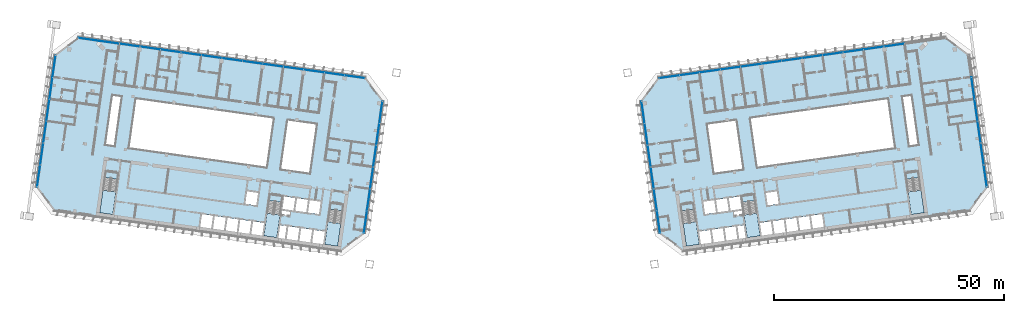
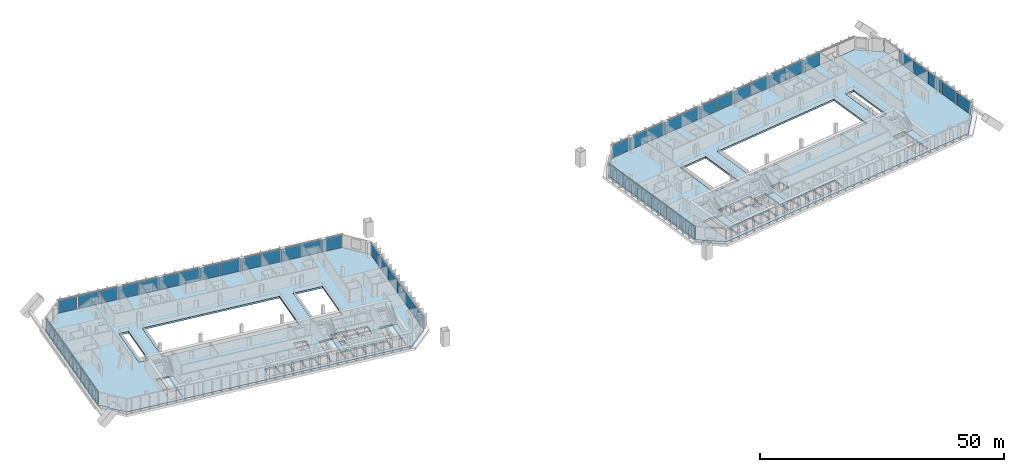
# One storey, part 16 of 34: 49 plates, 8 slabs, 12 elements without a shape of their own.
"""IFC4 building model written with IfcOpenShell, lengths in metres."""

from ifc_helpers import new_model, si_unit, direction, frame, origin, origin_2d, place, context, subcontext, project, spatial, polyline, rectangle, outline, extrude, material, layer, layer_set, type_object, element, aggregate, save


model = new_model("IFC4")

# Units and contexts
model_context = context("Model", 3, precision=1e-05, world=origin(), true_north=direction((0.0, 1.0)))
body_context = subcontext(model_context, "Body", "Model", "MODEL_VIEW")
ifc_project = project(units=[si_unit("LENGTHUNIT", "METRE"), si_unit("AREAUNIT", "SQUARE_METRE"), si_unit("VOLUMEUNIT", "CUBIC_METRE"), si_unit("PLANEANGLEUNIT", "RADIAN"), si_unit("MASSUNIT", "GRAM", prefix="KILO")], contexts=[model_context])

# Site, building, storey
site_placement = place(None, origin())
site = spatial("IfcSite", under=ifc_project, at=site_placement, CompositionType="ELEMENT")
building_placement = place(site_placement, origin())
building = spatial("IfcBuilding", under=site, at=building_placement, Name="Mirante Cascada Hotel Towers", CompositionType="ELEMENT")
storey_placement = place(building_placement, frame((0.0, 0.0, 148.1)))
storey = spatial("IfcBuildingStorey", under=building, at=storey_placement, Name="L34", CompositionType="ELEMENT", Elevation=148.1)

# Curtain wall, plates
ifc_material_1 = material(Name="Aluminium mullion and transom frame with clear laminated glass", Category="aluminium")
curtain_wall_type_1 = type_object("IfcCurtainWallType", Name="Ribbon curtain wall ECW1", PredefinedType="NOTDEFINED", material=ifc_material_1)
curtain_wall_1_placement = place(storey_placement, origin())
curtain_wall_1 = element("IfcCurtainWall", 1, at=curtain_wall_1_placement, inside=storey, type_object=curtain_wall_type_1, Name="Front ribbon wall T1 L34", PredefinedType="NOTDEFINED")
ifc_material_2 = material(Name="Clear laminated glass", Category="glass")
ifc_layer_1 = layer(ifc_material_2, 0.036)
ifc_layer_set_1 = layer_set([ifc_layer_1], Name="ECW1 glass panel 36")
plate_type_1 = type_object("IfcPlateType", Name="ECW1 glass panel 36", PredefinedType="CURTAIN_PANEL", material=ifc_layer_set_1)
plate_1_placement = place(storey_placement, frame((-92.0568, 25.7568, 0.1), z_axis=(0.0, 0.0, 1.0), x_axis=(0.9902681, -0.1391731, 0.0)))
plate_1 = element("IfcPlate", 2, at=plate_1_placement, type_object=plate_type_1, Name="ECW1 panel 1", PredefinedType="CURTAIN_PANEL", context=body_context, shape_type="SweptSolid", body=[
    extrude(rectangle(XDim=4.114, YDim=0.036, at=origin_2d()), origin(), (0.0, 0.0, 1.0), 3.1),
])
plate_2_placement = place(storey_placement, frame((-87.4537, 25.1098, 0.1), z_axis=(0.0, 0.0, 1.0), x_axis=(0.9902681, -0.1391731, 0.0)))
plate_2 = element("IfcPlate", 3, at=plate_2_placement, type_object=plate_type_1, Name="ECW1 panel 2", PredefinedType="CURTAIN_PANEL", context=body_context, shape_type="SweptSolid", body=[
    extrude(rectangle(XDim=4.3589, YDim=0.036, at=origin_2d()), origin(), (0.0, 0.0, 1.0), 3.1),
])
plate_3_placement = place(storey_placement, frame((-83.0396, 24.4895, 0.1), z_axis=(0.0, 0.0, 1.0), x_axis=(0.9902681, -0.1391731, 0.0)))
plate_3 = element("IfcPlate", 4, at=plate_3_placement, type_object=plate_type_1, Name="ECW1 panel 3", PredefinedType="CURTAIN_PANEL", context=body_context, shape_type="SweptSolid", body=[
    extrude(rectangle(XDim=4.4261, YDim=0.036, at=origin_2d()), origin(), (0.0, 0.0, 1.0), 3.1),
])
plate_4_placement = place(storey_placement, frame((-78.5922, 23.8644, 0.1), z_axis=(0.0, 0.0, 1.0), x_axis=(0.9902681, -0.1391731, 0.0)))
plate_4 = element("IfcPlate", 5, at=plate_4_placement, type_object=plate_type_1, Name="ECW1 panel 4", PredefinedType="CURTAIN_PANEL", context=body_context, shape_type="SweptSolid", body=[
    extrude(rectangle(XDim=4.4261, YDim=0.036, at=origin_2d()), origin(), (0.0, 0.0, 1.0), 3.1),
])
plate_5_placement = place(storey_placement, frame((-74.1448, 23.2394, 0.1), z_axis=(0.0, 0.0, 1.0), x_axis=(0.9902681, -0.1391731, 0.0)))
plate_5 = element("IfcPlate", 6, at=plate_5_placement, type_object=plate_type_1, Name="ECW1 panel 5", PredefinedType="CURTAIN_PANEL", context=body_context, shape_type="SweptSolid", body=[
    extrude(rectangle(XDim=4.4261, YDim=0.036, at=origin_2d()), origin(), (0.0, 0.0, 1.0), 3.1),
])
plate_6_placement = place(storey_placement, frame((-69.6974, 22.6144, 0.1), z_axis=(0.0, 0.0, 1.0), x_axis=(0.9902681, -0.1391731, 0.0)))
plate_6 = element("IfcPlate", 7, at=plate_6_placement, type_object=plate_type_1, Name="ECW1 panel 6", PredefinedType="CURTAIN_PANEL", context=body_context, shape_type="SweptSolid", body=[
    extrude(rectangle(XDim=4.4261, YDim=0.036, at=origin_2d()), origin(), (0.0, 0.0, 1.0), 3.1),
])
plate_7_placement = place(storey_placement, frame((-65.2499, 21.9893, 0.1), z_axis=(0.0, 0.0, 1.0), x_axis=(0.9902681, -0.1391731, 0.0)))
plate_7 = element("IfcPlate", 8, at=plate_7_placement, type_object=plate_type_1, Name="ECW1 panel 7", PredefinedType="CURTAIN_PANEL", context=body_context, shape_type="SweptSolid", body=[
    extrude(rectangle(XDim=4.4261, YDim=0.036, at=origin_2d()), origin(), (0.0, 0.0, 1.0), 3.1),
])
plate_8_placement = place(storey_placement, frame((-60.8025, 21.3643, 0.1), z_axis=(0.0, 0.0, 1.0), x_axis=(0.9902681, -0.1391731, 0.0)))
plate_8 = element("IfcPlate", 9, at=plate_8_placement, type_object=plate_type_1, Name="ECW1 panel 8", PredefinedType="CURTAIN_PANEL", context=body_context, shape_type="SweptSolid", body=[
    extrude(rectangle(XDim=4.4261, YDim=0.036, at=origin_2d()), origin(), (0.0, 0.0, 1.0), 3.1),
])
plate_9_placement = place(storey_placement, frame((-56.3551, 20.7392, 0.1), z_axis=(0.0, 0.0, 1.0), x_axis=(0.9902681, -0.1391731, 0.0)))
plate_9 = element("IfcPlate", 10, at=plate_9_placement, type_object=plate_type_1, Name="ECW1 panel 9", PredefinedType="CURTAIN_PANEL", context=body_context, shape_type="SweptSolid", body=[
    extrude(rectangle(XDim=4.4261, YDim=0.036, at=origin_2d()), origin(), (0.0, 0.0, 1.0), 3.1),
])
plate_10_placement = place(storey_placement, frame((-51.9077, 20.1142, 0.1), z_axis=(0.0, 0.0, 1.0), x_axis=(0.9902681, -0.1391731, 0.0)))
plate_10 = element("IfcPlate", 11, at=plate_10_placement, type_object=plate_type_1, Name="ECW1 panel 10", PredefinedType="CURTAIN_PANEL", context=body_context, shape_type="SweptSolid", body=[
    extrude(rectangle(XDim=4.4261, YDim=0.036, at=origin_2d()), origin(), (0.0, 0.0, 1.0), 3.1),
])
plate_11_placement = place(storey_placement, frame((-47.4603, 19.4891, 0.1), z_axis=(0.0, 0.0, 1.0), x_axis=(0.9902681, -0.1391731, 0.0)))
plate_11 = element("IfcPlate", 12, at=plate_11_placement, type_object=plate_type_1, Name="ECW1 panel 11", PredefinedType="CURTAIN_PANEL", context=body_context, shape_type="SweptSolid", body=[
    extrude(rectangle(XDim=4.4261, YDim=0.036, at=origin_2d()), origin(), (0.0, 0.0, 1.0), 3.1),
])
plate_12_placement = place(storey_placement, frame((-43.0129, 18.8641, 0.1), z_axis=(0.0, 0.0, 1.0), x_axis=(0.9902681, -0.1391731, 0.0)))
plate_12 = element("IfcPlate", 13, at=plate_12_placement, type_object=plate_type_1, Name="ECW1 panel 12", PredefinedType="CURTAIN_PANEL", context=body_context, shape_type="SweptSolid", body=[
    extrude(rectangle(XDim=4.4261, YDim=0.036, at=origin_2d()), origin(), (0.0, 0.0, 1.0), 3.1),
])
plate_13_placement = place(storey_placement, frame((-38.5654, 18.239, 0.1), z_axis=(0.0, 0.0, 1.0), x_axis=(0.9902681, -0.1391731, 0.0)))
plate_13 = element("IfcPlate", 14, at=plate_13_placement, type_object=plate_type_1, Name="ECW1 panel 13", PredefinedType="CURTAIN_PANEL", context=body_context, shape_type="SweptSolid", body=[
    extrude(rectangle(XDim=4.4261, YDim=0.036, at=origin_2d()), origin(), (0.0, 0.0, 1.0), 3.1),
])
plate_14_placement = place(storey_placement, frame((-34.1341, 17.6163, 0.1), z_axis=(0.0, 0.0, 1.0), x_axis=(0.9902681, -0.1391731, 0.0)))
plate_14 = element("IfcPlate", 15, at=plate_14_placement, type_object=plate_type_1, Name="ECW1 panel 14", PredefinedType="CURTAIN_PANEL", context=body_context, shape_type="SweptSolid", body=[
    extrude(rectangle(XDim=4.3936, YDim=0.036, at=origin_2d()), origin(), (0.0, 0.0, 1.0), 3.1),
])
aggregate(curtain_wall_1, [plate_1, plate_2, plate_3, plate_4, plate_5, plate_6, plate_7, plate_8, plate_9, plate_10, plate_11, plate_12, plate_13, plate_14])

curtain_wall_2_placement = place(storey_placement, origin())
curtain_wall_2 = element("IfcCurtainWall", 16, at=curtain_wall_2_placement, inside=storey, type_object=curtain_wall_type_1, Name="Front ribbon wall T2 L34", PredefinedType="NOTDEFINED")
plate_15_placement = place(storey_placement, frame((83.0396, 24.4895, 0.1), z_axis=(0.0, 0.0, 1.0), x_axis=(-0.9902681, -0.1391731, 0.0)))
plate_15 = element("IfcPlate", 17, at=plate_15_placement, type_object=plate_type_1, Name="ECW1 panel 3", PredefinedType="CURTAIN_PANEL", context=body_context, shape_type="SweptSolid", body=[
    extrude(rectangle(XDim=4.4261, YDim=0.036, at=origin_2d()), origin(), (0.0, 0.0, 1.0), 3.1),
])
plate_16_placement = place(storey_placement, frame((78.5922, 23.8644, 0.1), z_axis=(0.0, 0.0, 1.0), x_axis=(-0.9902681, -0.1391731, 0.0)))
plate_16 = element("IfcPlate", 18, at=plate_16_placement, type_object=plate_type_1, Name="ECW1 panel 4", PredefinedType="CURTAIN_PANEL", context=body_context, shape_type="SweptSolid", body=[
    extrude(rectangle(XDim=4.4261, YDim=0.036, at=origin_2d()), origin(), (0.0, 0.0, 1.0), 3.1),
])
plate_17_placement = place(storey_placement, frame((74.1448, 23.2394, 0.1), z_axis=(0.0, 0.0, 1.0), x_axis=(-0.9902681, -0.1391731, 0.0)))
plate_17 = element("IfcPlate", 19, at=plate_17_placement, type_object=plate_type_1, Name="ECW1 panel 5", PredefinedType="CURTAIN_PANEL", context=body_context, shape_type="SweptSolid", body=[
    extrude(rectangle(XDim=4.4261, YDim=0.036, at=origin_2d()), origin(), (0.0, 0.0, 1.0), 3.1),
])
plate_18_placement = place(storey_placement, frame((69.6974, 22.6144, 0.1), z_axis=(0.0, 0.0, 1.0), x_axis=(-0.9902681, -0.1391731, 0.0)))
plate_18 = element("IfcPlate", 20, at=plate_18_placement, type_object=plate_type_1, Name="ECW1 panel 6", PredefinedType="CURTAIN_PANEL", context=body_context, shape_type="SweptSolid", body=[
    extrude(rectangle(XDim=4.4261, YDim=0.036, at=origin_2d()), origin(), (0.0, 0.0, 1.0), 3.1),
])
plate_19_placement = place(storey_placement, frame((65.2499, 21.9893, 0.1), z_axis=(0.0, 0.0, 1.0), x_axis=(-0.9902681, -0.1391731, 0.0)))
plate_19 = element("IfcPlate", 21, at=plate_19_placement, type_object=plate_type_1, Name="ECW1 panel 7", PredefinedType="CURTAIN_PANEL", context=body_context, shape_type="SweptSolid", body=[
    extrude(rectangle(XDim=4.4261, YDim=0.036, at=origin_2d()), origin(), (0.0, 0.0, 1.0), 3.1),
])
plate_20_placement = place(storey_placement, frame((60.8025, 21.3643, 0.1), z_axis=(0.0, 0.0, 1.0), x_axis=(-0.9902681, -0.1391731, 0.0)))
plate_20 = element("IfcPlate", 22, at=plate_20_placement, type_object=plate_type_1, Name="ECW1 panel 8", PredefinedType="CURTAIN_PANEL", context=body_context, shape_type="SweptSolid", body=[
    extrude(rectangle(XDim=4.4261, YDim=0.036, at=origin_2d()), origin(), (0.0, 0.0, 1.0), 3.1),
])
plate_21_placement = place(storey_placement, frame((56.3551, 20.7392, 0.1), z_axis=(0.0, 0.0, 1.0), x_axis=(-0.9902681, -0.1391731, 0.0)))
plate_21 = element("IfcPlate", 23, at=plate_21_placement, type_object=plate_type_1, Name="ECW1 panel 9", PredefinedType="CURTAIN_PANEL", context=body_context, shape_type="SweptSolid", body=[
    extrude(rectangle(XDim=4.4261, YDim=0.036, at=origin_2d()), origin(), (0.0, 0.0, 1.0), 3.1),
])
plate_22_placement = place(storey_placement, frame((51.9077, 20.1142, 0.1), z_axis=(0.0, 0.0, 1.0), x_axis=(-0.9902681, -0.1391731, 0.0)))
plate_22 = element("IfcPlate", 24, at=plate_22_placement, type_object=plate_type_1, Name="ECW1 panel 10", PredefinedType="CURTAIN_PANEL", context=body_context, shape_type="SweptSolid", body=[
    extrude(rectangle(XDim=4.4261, YDim=0.036, at=origin_2d()), origin(), (0.0, 0.0, 1.0), 3.1),
])
plate_23_placement = place(storey_placement, frame((47.4603, 19.4891, 0.1), z_axis=(0.0, 0.0, 1.0), x_axis=(-0.9902681, -0.1391731, 0.0)))
plate_23 = element("IfcPlate", 25, at=plate_23_placement, type_object=plate_type_1, Name="ECW1 panel 11", PredefinedType="CURTAIN_PANEL", context=body_context, shape_type="SweptSolid", body=[
    extrude(rectangle(XDim=4.4261, YDim=0.036, at=origin_2d()), origin(), (0.0, 0.0, 1.0), 3.1),
])
plate_24_placement = place(storey_placement, frame((43.0129, 18.8641, 0.1), z_axis=(0.0, 0.0, 1.0), x_axis=(-0.9902681, -0.1391731, 0.0)))
plate_24 = element("IfcPlate", 26, at=plate_24_placement, type_object=plate_type_1, Name="ECW1 panel 12", PredefinedType="CURTAIN_PANEL", context=body_context, shape_type="SweptSolid", body=[
    extrude(rectangle(XDim=4.4261, YDim=0.036, at=origin_2d()), origin(), (0.0, 0.0, 1.0), 3.1),
])
plate_25_placement = place(storey_placement, frame((38.5654, 18.239, 0.1), z_axis=(0.0, 0.0, 1.0), x_axis=(-0.9902681, -0.1391731, 0.0)))
plate_25 = element("IfcPlate", 27, at=plate_25_placement, type_object=plate_type_1, Name="ECW1 panel 13", PredefinedType="CURTAIN_PANEL", context=body_context, shape_type="SweptSolid", body=[
    extrude(rectangle(XDim=4.4261, YDim=0.036, at=origin_2d()), origin(), (0.0, 0.0, 1.0), 3.1),
])
plate_26_placement = place(storey_placement, frame((34.1341, 17.6163, 0.1), z_axis=(0.0, 0.0, 1.0), x_axis=(-0.9902681, -0.1391731, 0.0)))
plate_26 = element("IfcPlate", 28, at=plate_26_placement, type_object=plate_type_1, Name="ECW1 panel 14", PredefinedType="CURTAIN_PANEL", context=body_context, shape_type="SweptSolid", body=[
    extrude(rectangle(XDim=4.3936, YDim=0.036, at=origin_2d()), origin(), (0.0, 0.0, 1.0), 3.1),
])
aggregate(curtain_wall_2, [plate_15, plate_16, plate_17, plate_18, plate_19, plate_20, plate_21, plate_22, plate_23, plate_24, plate_25, plate_26])

ifc_material_3 = material(Name="Aluminium mullion and transom frame with clear laminated glass", Category="aluminium")
curtain_wall_type_2 = type_object("IfcCurtainWallType", Name="End ribbon curtain wall ECW2", PredefinedType="NOTDEFINED", material=ifc_material_3)
curtain_wall_3_placement = place(storey_placement, origin())
curtain_wall_3 = element("IfcCurtainWall", 29, at=curtain_wall_3_placement, inside=storey, type_object=curtain_wall_type_2, Name="Inner end wall T1 L34", PredefinedType="NOTDEFINED")
ifc_material_4 = material(Name="Clear laminated glass", Category="glass")
ifc_layer_2 = layer(ifc_material_4, 0.034)
ifc_layer_set_2 = layer_set([ifc_layer_2], Name="ECW2 glass panel 34")
plate_type_2 = type_object("IfcPlateType", Name="ECW2 glass panel 34", PredefinedType="CURTAIN_PANEL", material=ifc_layer_set_2)
plate_27_placement = place(storey_placement, frame((-28.4763, 9.9193, 0.1), z_axis=(0.0, 0.0, 1.0), x_axis=(-0.1391731, -0.9902681, 0.0)))
plate_27 = element("IfcPlate", 30, at=plate_27_placement, type_object=plate_type_2, Name="ECW2 panel 1", PredefinedType="CURTAIN_PANEL", context=body_context, shape_type="SweptSolid", body=[
    extrude(rectangle(XDim=4.7151, YDim=0.034, at=origin_2d()), origin(), (0.0, 0.0, 1.0), 3.1),
])
plate_28_placement = place(storey_placement, frame((-29.1439, 5.1696, 0.1), z_axis=(0.0, 0.0, 1.0), x_axis=(-0.1391731, -0.9902681, 0.0)))
plate_28 = element("IfcPlate", 31, at=plate_28_placement, type_object=plate_type_2, Name="ECW2 panel 2", PredefinedType="CURTAIN_PANEL", context=body_context, shape_type="SweptSolid", body=[
    extrude(rectangle(XDim=4.7476, YDim=0.034, at=origin_2d()), origin(), (0.0, 0.0, 1.0), 3.1),
])
plate_29_placement = place(storey_placement, frame((-29.8136, 0.4038, 0.1), z_axis=(0.0, 0.0, 1.0), x_axis=(-0.1391731, -0.9902681, 0.0)))
plate_29 = element("IfcPlate", 32, at=plate_29_placement, type_object=plate_type_2, Name="ECW2 panel 3", PredefinedType="CURTAIN_PANEL", context=body_context, shape_type="SweptSolid", body=[
    extrude(rectangle(XDim=4.7476, YDim=0.034, at=origin_2d()), origin(), (0.0, 0.0, 1.0), 3.1),
])
plate_30_placement = place(storey_placement, frame((-30.4834, -4.362, 0.1), z_axis=(0.0, 0.0, 1.0), x_axis=(-0.1391731, -0.9902681, 0.0)))
plate_30 = element("IfcPlate", 33, at=plate_30_placement, type_object=plate_type_2, Name="ECW2 panel 4", PredefinedType="CURTAIN_PANEL", context=body_context, shape_type="SweptSolid", body=[
    extrude(rectangle(XDim=4.7476, YDim=0.034, at=origin_2d()), origin(), (0.0, 0.0, 1.0), 3.1),
])
plate_31_placement = place(storey_placement, frame((-31.1532, -9.1278, 0.1), z_axis=(0.0, 0.0, 1.0), x_axis=(-0.1391731, -0.9902681, 0.0)))
plate_31 = element("IfcPlate", 34, at=plate_31_placement, type_object=plate_type_2, Name="ECW2 panel 5", PredefinedType="CURTAIN_PANEL", context=body_context, shape_type="SweptSolid", body=[
    extrude(rectangle(XDim=4.7476, YDim=0.034, at=origin_2d()), origin(), (0.0, 0.0, 1.0), 3.1),
])
plate_32_placement = place(storey_placement, frame((-31.8207, -13.8775, 0.1), z_axis=(0.0, 0.0, 1.0), x_axis=(-0.1391731, -0.9902681, 0.0)))
plate_32 = element("IfcPlate", 35, at=plate_32_placement, type_object=plate_type_2, Name="ECW2 panel 6", PredefinedType="CURTAIN_PANEL", context=body_context, shape_type="SweptSolid", body=[
    extrude(rectangle(XDim=4.7151, YDim=0.034, at=origin_2d()), origin(), (0.0, 0.0, 1.0), 3.1),
])
aggregate(curtain_wall_3, [plate_27, plate_28, plate_29, plate_30, plate_31, plate_32])

curtain_wall_4_placement = place(storey_placement, origin())
curtain_wall_4 = element("IfcCurtainWall", 36, at=curtain_wall_4_placement, inside=storey, type_object=curtain_wall_type_2, Name="Outer end wall T1 L34", PredefinedType="NOTDEFINED")
plate_33_placement = place(storey_placement, frame((-102.823, -3.8988, 0.1), z_axis=(0.0, 0.0, 1.0), x_axis=(0.1391731, 0.9902681, 0.0)))
plate_33 = element("IfcPlate", 37, at=plate_33_placement, type_object=plate_type_2, Name="ECW2 panel 1", PredefinedType="CURTAIN_PANEL", context=body_context, shape_type="SweptSolid", body=[
    extrude(rectangle(XDim=4.7151, YDim=0.034, at=origin_2d()), origin(), (0.0, 0.0, 1.0), 3.1),
])
plate_34_placement = place(storey_placement, frame((-102.1554, 0.8509, 0.1), z_axis=(0.0, 0.0, 1.0), x_axis=(0.1391731, 0.9902681, 0.0)))
plate_34 = element("IfcPlate", 38, at=plate_34_placement, type_object=plate_type_2, Name="ECW2 panel 2", PredefinedType="CURTAIN_PANEL", context=body_context, shape_type="SweptSolid", body=[
    extrude(rectangle(XDim=4.7476, YDim=0.034, at=origin_2d()), origin(), (0.0, 0.0, 1.0), 3.1),
])
plate_35_placement = place(storey_placement, frame((-100.1461, 15.1483, 0.1), z_axis=(0.0, 0.0, 1.0), x_axis=(0.1391731, 0.9902681, 0.0)))
plate_35 = element("IfcPlate", 39, at=plate_35_placement, type_object=plate_type_2, Name="ECW2 panel 5", PredefinedType="CURTAIN_PANEL", context=body_context, shape_type="SweptSolid", body=[
    extrude(rectangle(XDim=4.7476, YDim=0.034, at=origin_2d()), origin(), (0.0, 0.0, 1.0), 3.1),
])
plate_36_placement = place(storey_placement, frame((-99.4786, 19.898, 0.1), z_axis=(0.0, 0.0, 1.0), x_axis=(0.1391731, 0.9902681, 0.0)))
plate_36 = element("IfcPlate", 40, at=plate_36_placement, type_object=plate_type_2, Name="ECW2 panel 6", PredefinedType="CURTAIN_PANEL", context=body_context, shape_type="SweptSolid", body=[
    extrude(rectangle(XDim=4.7151, YDim=0.034, at=origin_2d()), origin(), (0.0, 0.0, 1.0), 3.1),
])

curtain_wall_5_placement = place(storey_placement, origin())
curtain_wall_5 = element("IfcCurtainWall", 41, at=curtain_wall_5_placement, inside=storey, type_object=curtain_wall_type_2, Name="Inner end wall T2 L34", PredefinedType="NOTDEFINED")
plate_37_placement = place(storey_placement, frame((28.4763, 9.9193, 0.1), z_axis=(0.0, 0.0, 1.0), x_axis=(0.1391731, -0.9902681, 0.0)))
plate_37 = element("IfcPlate", 42, at=plate_37_placement, type_object=plate_type_2, Name="ECW2 panel 1", PredefinedType="CURTAIN_PANEL", context=body_context, shape_type="SweptSolid", body=[
    extrude(rectangle(XDim=4.7151, YDim=0.034, at=origin_2d()), origin(), (0.0, 0.0, 1.0), 3.1),
])
plate_38_placement = place(storey_placement, frame((29.1439, 5.1696, 0.1), z_axis=(0.0, 0.0, 1.0), x_axis=(0.1391731, -0.9902681, 0.0)))
plate_38 = element("IfcPlate", 43, at=plate_38_placement, type_object=plate_type_2, Name="ECW2 panel 2", PredefinedType="CURTAIN_PANEL", context=body_context, shape_type="SweptSolid", body=[
    extrude(rectangle(XDim=4.7476, YDim=0.034, at=origin_2d()), origin(), (0.0, 0.0, 1.0), 3.1),
])
plate_39_placement = place(storey_placement, frame((29.8136, 0.4038, 0.1), z_axis=(0.0, 0.0, 1.0), x_axis=(0.1391731, -0.9902681, 0.0)))
plate_39 = element("IfcPlate", 44, at=plate_39_placement, type_object=plate_type_2, Name="ECW2 panel 3", PredefinedType="CURTAIN_PANEL", context=body_context, shape_type="SweptSolid", body=[
    extrude(rectangle(XDim=4.7476, YDim=0.034, at=origin_2d()), origin(), (0.0, 0.0, 1.0), 3.1),
])
plate_40_placement = place(storey_placement, frame((30.4834, -4.362, 0.1), z_axis=(0.0, 0.0, 1.0), x_axis=(0.1391731, -0.9902681, 0.0)))
plate_40 = element("IfcPlate", 45, at=plate_40_placement, type_object=plate_type_2, Name="ECW2 panel 4", PredefinedType="CURTAIN_PANEL", context=body_context, shape_type="SweptSolid", body=[
    extrude(rectangle(XDim=4.7476, YDim=0.034, at=origin_2d()), origin(), (0.0, 0.0, 1.0), 3.1),
])
plate_41_placement = place(storey_placement, frame((31.1532, -9.1278, 0.1), z_axis=(0.0, 0.0, 1.0), x_axis=(0.1391731, -0.9902681, 0.0)))
plate_41 = element("IfcPlate", 46, at=plate_41_placement, type_object=plate_type_2, Name="ECW2 panel 5", PredefinedType="CURTAIN_PANEL", context=body_context, shape_type="SweptSolid", body=[
    extrude(rectangle(XDim=4.7476, YDim=0.034, at=origin_2d()), origin(), (0.0, 0.0, 1.0), 3.1),
])
plate_42_placement = place(storey_placement, frame((31.8207, -13.8775, 0.1), z_axis=(0.0, 0.0, 1.0), x_axis=(0.1391731, -0.9902681, 0.0)))
plate_42 = element("IfcPlate", 47, at=plate_42_placement, type_object=plate_type_2, Name="ECW2 panel 6", PredefinedType="CURTAIN_PANEL", context=body_context, shape_type="SweptSolid", body=[
    extrude(rectangle(XDim=4.7151, YDim=0.034, at=origin_2d()), origin(), (0.0, 0.0, 1.0), 3.1),
])
aggregate(curtain_wall_5, [plate_37, plate_38, plate_39, plate_40, plate_41, plate_42])

curtain_wall_6_placement = place(storey_placement, origin())
curtain_wall_6 = element("IfcCurtainWall", 48, at=curtain_wall_6_placement, inside=storey, type_object=curtain_wall_type_2, Name="Outer end wall T2 L34", PredefinedType="NOTDEFINED")
plate_43_placement = place(storey_placement, frame((102.823, -3.8988, 0.1), z_axis=(0.0, 0.0, 1.0), x_axis=(-0.1391731, 0.9902681, 0.0)))
plate_43 = element("IfcPlate", 49, at=plate_43_placement, type_object=plate_type_2, Name="ECW2 panel 1", PredefinedType="CURTAIN_PANEL", context=body_context, shape_type="SweptSolid", body=[
    extrude(rectangle(XDim=4.7151, YDim=0.034, at=origin_2d()), origin(), (0.0, 0.0, 1.0), 3.1),
])
plate_44_placement = place(storey_placement, frame((102.1554, 0.8509, 0.1), z_axis=(0.0, 0.0, 1.0), x_axis=(-0.1391731, 0.9902681, 0.0)))
plate_44 = element("IfcPlate", 50, at=plate_44_placement, type_object=plate_type_2, Name="ECW2 panel 2", PredefinedType="CURTAIN_PANEL", context=body_context, shape_type="SweptSolid", body=[
    extrude(rectangle(XDim=4.7476, YDim=0.034, at=origin_2d()), origin(), (0.0, 0.0, 1.0), 3.1),
])
plate_45_placement = place(storey_placement, frame((100.1461, 15.1483, 0.1), z_axis=(0.0, 0.0, 1.0), x_axis=(-0.1391731, 0.9902681, 0.0)))
plate_45 = element("IfcPlate", 51, at=plate_45_placement, type_object=plate_type_2, Name="ECW2 panel 5", PredefinedType="CURTAIN_PANEL", context=body_context, shape_type="SweptSolid", body=[
    extrude(rectangle(XDim=4.7476, YDim=0.034, at=origin_2d()), origin(), (0.0, 0.0, 1.0), 3.1),
])

# Plate
ifc_material_5 = material(Name="Insulated aluminium spandrel panel", Category="aluminium")
ifc_layer_3 = layer(ifc_material_5, 0.034)
ifc_layer_set_3 = layer_set([ifc_layer_3], Name="ECW2 spandrel panel 34")
plate_type_3 = type_object("IfcPlateType", Name="ECW2 spandrel panel 34", PredefinedType="CURTAIN_PANEL", material=ifc_layer_set_3)
plate_46_placement = place(storey_placement, frame((-101.4857, 5.6167, 0.1), z_axis=(0.0, 0.0, 1.0), x_axis=(0.1391731, 0.9902681, 0.0)))
plate_46 = element("IfcPlate", 52, at=plate_46_placement, type_object=plate_type_3, Name="ECW2 panel 3", PredefinedType="CURTAIN_PANEL", context=body_context, shape_type="SweptSolid", body=[
    extrude(rectangle(XDim=4.7476, YDim=0.034, at=origin_2d()), origin(), (0.0, 0.0, 1.0), 3.1),
])

plate_47_placement = place(storey_placement, frame((-100.8159, 10.3825, 0.1), z_axis=(0.0, 0.0, 1.0), x_axis=(0.1391731, 0.9902681, 0.0)))
plate_47 = element("IfcPlate", 53, at=plate_47_placement, type_object=plate_type_3, Name="ECW2 panel 4", PredefinedType="CURTAIN_PANEL", context=body_context, shape_type="SweptSolid", body=[
    extrude(rectangle(XDim=4.7476, YDim=0.034, at=origin_2d()), origin(), (0.0, 0.0, 1.0), 3.1),
])

aggregate(curtain_wall_4, [plate_33, plate_34, plate_46, plate_47, plate_35, plate_36])

plate_48_placement = place(storey_placement, frame((101.4857, 5.6167, 0.1), z_axis=(0.0, 0.0, 1.0), x_axis=(-0.1391731, 0.9902681, 0.0)))
plate_48 = element("IfcPlate", 54, at=plate_48_placement, type_object=plate_type_3, Name="ECW2 panel 3", PredefinedType="CURTAIN_PANEL", context=body_context, shape_type="SweptSolid", body=[
    extrude(rectangle(XDim=4.7476, YDim=0.034, at=origin_2d()), origin(), (0.0, 0.0, 1.0), 3.1),
])

plate_49_placement = place(storey_placement, frame((100.8159, 10.3825, 0.1), z_axis=(0.0, 0.0, 1.0), x_axis=(-0.1391731, 0.9902681, 0.0)))
plate_49 = element("IfcPlate", 55, at=plate_49_placement, type_object=plate_type_3, Name="ECW2 panel 4", PredefinedType="CURTAIN_PANEL", context=body_context, shape_type="SweptSolid", body=[
    extrude(rectangle(XDim=4.7476, YDim=0.034, at=origin_2d()), origin(), (0.0, 0.0, 1.0), 3.1),
])

aggregate(curtain_wall_6, [plate_43, plate_44, plate_48, plate_49, plate_45])

# Stair, slab
ifc_material_6 = material(Name="Concrete C35/45", Category="concrete")
stair_type = type_object("IfcStairType", Name="Exit stair half-turn 1350 concrete C35/45", PredefinedType="HALF_TURN_STAIR", material=ifc_material_6)
stair_1_placement = place(storey_placement, origin())
stair_1 = element("IfcStair", 56, at=stair_1_placement, inside=storey, type_object=stair_type, Name="L34 Exit stair A", PredefinedType="HALF_TURN_STAIR")
ifc_material_7 = material(Name="Concrete C35/45", Category="concrete")
ifc_layer_4 = layer(ifc_material_7, 0.2)
ifc_layer_set_4 = layer_set([ifc_layer_4], Name="Exit stair landing 200 concrete C35/45")
slab_type_1 = type_object("IfcSlabType", Name="Exit stair landing 200 concrete C35/45", PredefinedType="LANDING", material=ifc_layer_set_4)
slab_1_placement = place(storey_placement, frame((0.0, 0.0, 1.7)))
slab_1 = element("IfcSlab", 57, at=slab_1_placement, type_object=slab_type_1, Name="ST1-A landing 1", PredefinedType="LANDING", context=body_context, shape_type="SweptSolid", body=[
    extrude(outline(polyline([(-39.9987, -13.8659), (-40.6887, -18.7757), (-37.8665, -19.1723), (-37.1765, -14.2626), (-39.9987, -13.8659)])), origin(), (0.0, 0.0, 1.0), 0.2),
])
aggregate(stair_1, [slab_1])

stair_2_placement = place(storey_placement, origin())
stair_2 = element("IfcStair", 58, at=stair_2_placement, inside=storey, type_object=stair_type, Name="L34 Exit stair B", PredefinedType="HALF_TURN_STAIR")
slab_2_placement = place(storey_placement, frame((0.0, 0.0, 1.7)))
slab_2 = element("IfcSlab", 59, at=slab_2_placement, type_object=slab_type_1, Name="ST1-B landing 1", PredefinedType="LANDING", context=body_context, shape_type="SweptSolid", body=[
    extrude(outline(polyline([(-53.2188, -12.008), (-53.9088, -16.9177), (-51.0866, -17.3144), (-50.3965, -12.4046), (-53.2188, -12.008)])), origin(), (0.0, 0.0, 1.0), 0.2),
])
aggregate(stair_2, [slab_2])

stair_3_placement = place(storey_placement, origin())
stair_3 = element("IfcStair", 60, at=stair_3_placement, inside=storey, type_object=stair_type, Name="L34 Exit stair C", PredefinedType="HALF_TURN_STAIR")
slab_3_placement = place(storey_placement, frame((0.0, 0.0, 1.7)))
slab_3 = element("IfcSlab", 61, at=slab_3_placement, type_object=slab_type_1, Name="ST1-C landing 1", PredefinedType="LANDING", context=body_context, shape_type="SweptSolid", body=[
    extrude(outline(polyline([(-88.8685, -6.9977), (-89.5585, -11.9075), (-86.7362, -12.3041), (-86.0462, -7.3944), (-88.8685, -6.9977)])), origin(), (0.0, 0.0, 1.0), 0.2),
])
aggregate(stair_3, [slab_3])

stair_4_placement = place(storey_placement, origin())
stair_4 = element("IfcStair", 62, at=stair_4_placement, inside=storey, type_object=stair_type, Name="L34 Exit stair A", PredefinedType="HALF_TURN_STAIR")
slab_4_placement = place(storey_placement, frame((0.0, 0.0, 1.7)))
slab_4 = element("IfcSlab", 63, at=slab_4_placement, type_object=slab_type_1, Name="ST2-A landing 1", PredefinedType="LANDING", context=body_context, shape_type="SweptSolid", body=[
    extrude(outline(polyline([(37.1765, -14.2626), (37.8665, -19.1723), (40.6887, -18.7757), (39.9987, -13.8659), (37.1765, -14.2626)])), origin(), (0.0, 0.0, 1.0), 0.2),
])
aggregate(stair_4, [slab_4])

stair_5_placement = place(storey_placement, origin())
stair_5 = element("IfcStair", 64, at=stair_5_placement, inside=storey, type_object=stair_type, Name="L34 Exit stair B", PredefinedType="HALF_TURN_STAIR")
slab_5_placement = place(storey_placement, frame((0.0, 0.0, 1.7)))
slab_5 = element("IfcSlab", 65, at=slab_5_placement, type_object=slab_type_1, Name="ST2-B landing 1", PredefinedType="LANDING", context=body_context, shape_type="SweptSolid", body=[
    extrude(outline(polyline([(50.3965, -12.4046), (51.0866, -17.3144), (53.9088, -16.9177), (53.2188, -12.008), (50.3965, -12.4046)])), origin(), (0.0, 0.0, 1.0), 0.2),
])
aggregate(stair_5, [slab_5])

stair_6_placement = place(storey_placement, origin())
stair_6 = element("IfcStair", 66, at=stair_6_placement, inside=storey, type_object=stair_type, Name="L34 Exit stair C", PredefinedType="HALF_TURN_STAIR")
slab_6_placement = place(storey_placement, frame((0.0, 0.0, 1.7)))
slab_6 = element("IfcSlab", 67, at=slab_6_placement, type_object=slab_type_1, Name="ST2-C landing 1", PredefinedType="LANDING", context=body_context, shape_type="SweptSolid", body=[
    extrude(outline(polyline([(86.0462, -7.3944), (86.7362, -12.3041), (89.5585, -11.9075), (88.8685, -6.9977), (86.0462, -7.3944)])), origin(), (0.0, 0.0, 1.0), 0.2),
])
aggregate(stair_6, [slab_6])

# Slabs
ifc_material_8 = material(Name="Concrete C40/50", Category="concrete")
ifc_layer_5 = layer(ifc_material_8, 0.45)
ifc_layer_set_5 = layer_set([ifc_layer_5], Name="Post-tensioned flat plate 450 Concrete C40/50")
slab_type_2 = type_object("IfcSlabType", Name="Post-tensioned flat plate 450 Concrete C40/50", PredefinedType="FLOOR", material=ifc_layer_set_5)
slab_7_placement = place(storey_placement, frame((0.0, 0.0, -0.45)))
element("IfcSlab", 68, at=slab_7_placement, inside=storey, type_object=slab_type_2, Name="Floor T1 L34", PredefinedType="FLOOR", context=body_context, shape_type="SweptSolid", body=[
    extrude(outline(polyline([(-32.018, -16.3589), (-27.982, 12.3589), (-31.8119, 17.4414), (-94.1988, 26.2093), (-99.2813, 22.3794), (-103.3173, -6.3384), (-99.4874, -11.4209), (-37.1005, -20.1888), (-32.018, -16.3589)]), holes=[polyline([(-43.0718, -15.6132), (-40.5961, -15.9612), (-40.9858, -18.7339), (-43.4615, -18.386), (-43.0718, -15.6132)]), polyline([(-45.8446, -15.2236), (-43.3689, -15.5715), (-43.7586, -18.3442), (-46.2342, -17.9963), (-45.8446, -15.2236)]), polyline([(-48.6173, -14.8339), (-46.1416, -15.1818), (-46.5313, -17.9546), (-49.007, -17.6066), (-48.6173, -14.8339)]), polyline([(-50.3998, -14.5834), (-48.9144, -14.7921), (-49.3041, -17.5649), (-50.7895, -17.3561), (-50.3998, -14.5834)]), polyline([(-36.7887, -11.5037), (-37.8665, -19.1723), (-40.6887, -18.7757), (-39.611, -11.107), (-36.7887, -11.5037)]), polyline([(-49.9544, -11.4145), (-48.1472, -11.6685), (-48.2829, -12.634), (-50.0901, -12.38), (-49.9544, -11.4145)]), polyline([(-43.9775, -9.124), (-41.5018, -9.472), (-41.8915, -12.2447), (-44.3672, -11.8968), (-43.9775, -9.124)]), polyline([(-47.1399, -11.5071), (-46.7503, -8.7344), (-44.2746, -9.0823), (-44.6643, -11.855), (-47.1399, -11.5071)]), polyline([(-49.9127, -11.1174), (-49.523, -8.3447), (-47.0473, -8.6926), (-47.437, -11.4654), (-49.9127, -11.1174)]), polyline([(-56.2919, -13.7553), (-53.8162, -14.1032), (-54.2059, -16.876), (-56.6816, -16.528), (-56.2919, -13.7553)]), polyline([(-59.0646, -13.3656), (-56.589, -13.7135), (-56.9787, -16.4863), (-59.4543, -16.1383), (-59.0646, -13.3656)]), polyline([(-61.8374, -12.9759), (-59.3617, -13.3238), (-59.7514, -16.0966), (-62.2271, -15.7487), (-61.8374, -12.9759)]), polyline([(-64.6101, -12.5862), (-62.1345, -12.9342), (-62.5242, -15.7069), (-64.9998, -15.359), (-64.6101, -12.5862)]), polyline([(-67.3829, -12.1965), (-64.9072, -12.5445), (-65.2969, -15.3172), (-67.7726, -14.9693), (-67.3829, -12.1965)]), polyline([(-50.0088, -9.6457), (-51.0866, -17.3144), (-53.9088, -16.9177), (-52.8311, -9.2491), (-50.0088, -9.6457)]), polyline([(-85.6585, -4.6355), (-86.7362, -12.3041), (-89.5585, -11.9075), (-88.4807, -4.2388), (-85.6585, -4.6355)]), polyline([(-57.9834, -9.9832), (-57.5937, -7.2104), (-55.118, -7.5583), (-55.5077, -10.3311), (-57.9834, -9.9832)]), polyline([(-86.873, 13.6677), (-84.7325, 13.3668), (-84.7325, 13.3668), (-86.2634, 2.4739), (-86.2634, 2.4739), (-88.4039, 2.7747), (-86.873, 13.6677)]), polyline([(-51.7318, 8.7289), (-53.2627, -2.1641), (-53.2627, -2.1641), (-83.2906, 2.0561), (-83.2906, 2.0561), (-81.7597, 12.949), (-81.7597, 12.949), (-51.7318, 8.7289)]), polyline([(-42.3109, 7.4049), (-43.8418, -3.4881), (-50.2899, -2.5818), (-50.2899, -2.5818), (-48.759, 8.3111), (-42.3109, 7.4049)])]), origin(), (0.0, 0.0, 1.0), 0.45),
])
slab_8_placement = place(storey_placement, frame((0.0, 0.0, -0.45)))
element("IfcSlab", 69, at=slab_8_placement, inside=storey, type_object=slab_type_2, Name="Floor T2 L34", PredefinedType="FLOOR", context=body_context, shape_type="SweptSolid", body=[
    extrude(outline(polyline([(32.018, -16.3589), (27.982, 12.3589), (31.8119, 17.4414), (94.1988, 26.2093), (99.2813, 22.3794), (103.3173, -6.3384), (99.4874, -11.4209), (37.1005, -20.1888), (32.018, -16.3589)]), holes=[polyline([(43.0718, -15.6132), (40.5961, -15.9612), (40.9858, -18.7339), (43.4615, -18.386), (43.0718, -15.6132)]), polyline([(45.8446, -15.2236), (43.3689, -15.5715), (43.7586, -18.3442), (46.2342, -17.9963), (45.8446, -15.2236)]), polyline([(48.6173, -14.8339), (46.1416, -15.1818), (46.5313, -17.9546), (49.007, -17.6066), (48.6173, -14.8339)]), polyline([(50.3998, -14.5834), (48.9144, -14.7921), (49.3041, -17.5649), (50.7895, -17.3561), (50.3998, -14.5834)]), polyline([(37.8665, -19.1723), (40.6887, -18.7757), (39.611, -11.107), (36.7887, -11.5037), (37.8665, -19.1723)]), polyline([(49.9544, -11.4145), (48.1472, -11.6685), (48.2829, -12.634), (50.0901, -12.38), (49.9544, -11.4145)]), polyline([(43.9775, -9.124), (41.5018, -9.472), (41.8915, -12.2447), (44.3672, -11.8968), (43.9775, -9.124)]), polyline([(47.1399, -11.5071), (46.7503, -8.7344), (44.2746, -9.0823), (44.6643, -11.855), (47.1399, -11.5071)]), polyline([(49.9127, -11.1174), (49.523, -8.3447), (47.0473, -8.6926), (47.437, -11.4654), (49.9127, -11.1174)]), polyline([(56.2919, -13.7553), (53.8162, -14.1032), (54.2059, -16.876), (56.6816, -16.528), (56.2919, -13.7553)]), polyline([(59.0646, -13.3656), (56.589, -13.7135), (56.9787, -16.4863), (59.4543, -16.1383), (59.0646, -13.3656)]), polyline([(61.8374, -12.9759), (59.3617, -13.3238), (59.7514, -16.0966), (62.2271, -15.7487), (61.8374, -12.9759)]), polyline([(64.6101, -12.5862), (62.1345, -12.9342), (62.5242, -15.7069), (64.9998, -15.359), (64.6101, -12.5862)]), polyline([(67.3829, -12.1965), (64.9072, -12.5445), (65.2969, -15.3172), (67.7726, -14.9693), (67.3829, -12.1965)]), polyline([(51.0866, -17.3144), (53.9088, -16.9177), (52.8311, -9.2491), (50.0088, -9.6457), (51.0866, -17.3144)]), polyline([(86.7362, -12.3041), (89.5585, -11.9075), (88.4807, -4.2388), (85.6585, -4.6355), (86.7362, -12.3041)]), polyline([(57.9834, -9.9832), (57.5937, -7.2104), (55.118, -7.5583), (55.5077, -10.3311), (57.9834, -9.9832)]), polyline([(86.873, 13.6677), (88.4039, 2.7747), (86.2634, 2.4739), (86.2634, 2.4739), (84.7325, 13.3668), (84.7325, 13.3668), (86.873, 13.6677)]), polyline([(81.7597, 12.949), (81.7597, 12.949), (83.2906, 2.0561), (83.2906, 2.0561), (53.2627, -2.1641), (53.2627, -2.1641), (51.7318, 8.7289), (81.7597, 12.949)]), polyline([(43.8418, -3.4881), (42.3109, 7.4049), (48.759, 8.3111), (50.2899, -2.5818), (50.2899, -2.5818), (43.8418, -3.4881)])]), origin(), (0.0, 0.0, 1.0), 0.45),
])

save(model, "model.ifc")
